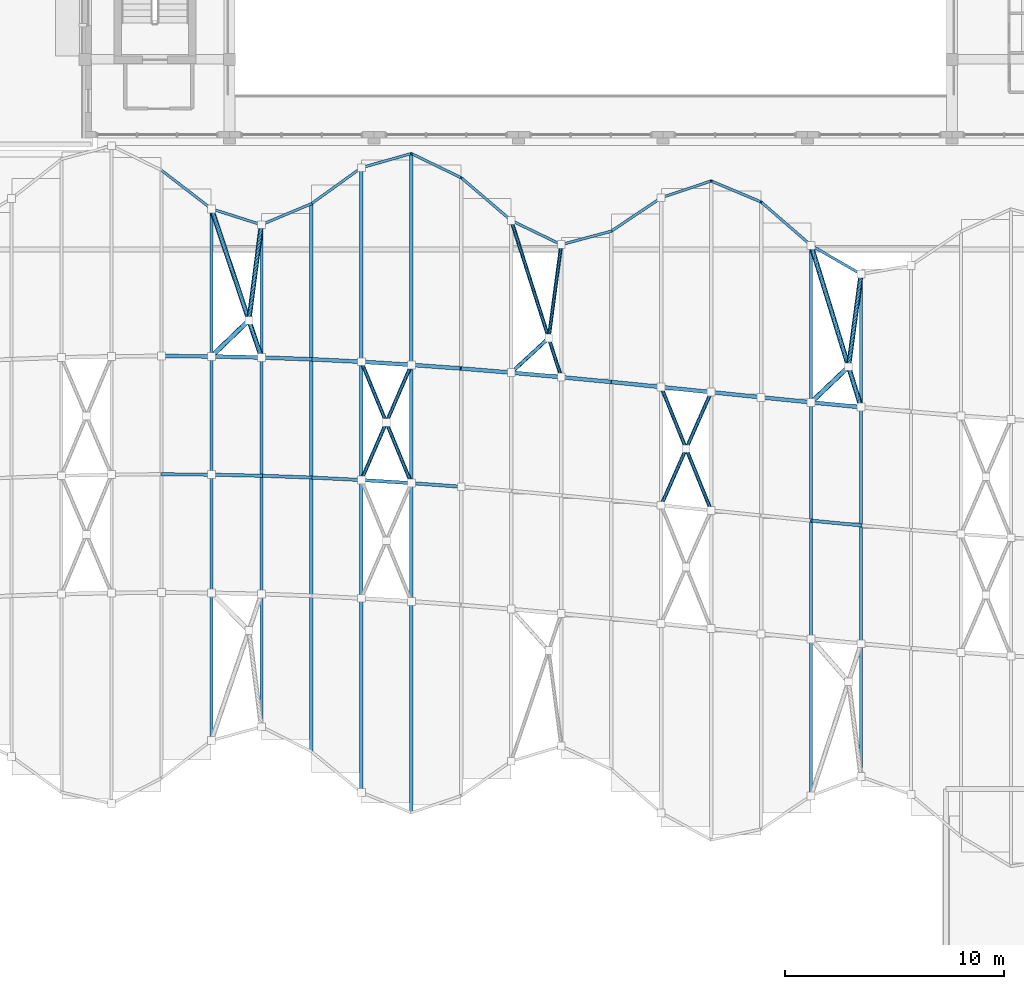
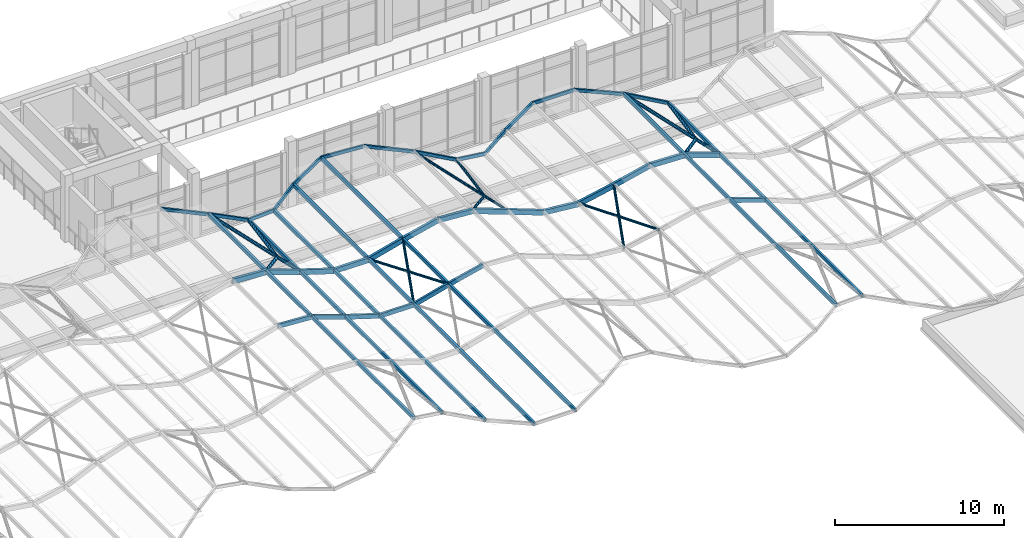
# One storey, part 15 of 79: 57 members.
"""IFC4 building model written with IfcOpenShell, lengths in metres."""

import ifcopenshell
import ifcopenshell.guid

model = None  # the IFC model being written
_history = None  # IfcOwnerHistory: only IFC2X3 demands one
_inside = {}  # id of a spatial element -> (the spatial element, [elements in it])
_under = {}  # id of a project, library or spatial element -> (it, [spatial elements below it])
_declared = {}  # id of a project -> (the project, [libraries it declares])
_typed = {}  # id of a type object -> (the type object, [elements of that type])
_made_of = {}  # id of a material, layer set ... -> (it, [elements and type objects made of it])


def new_model(schema):
    """Start an empty IFC model of exactly this schema.

    Asked for "IFC4X3", IfcOpenShell would pick the latest addendum, in which some entities
    have other attributes; the version numbers below select the first issue.
    IFC2X3 requires an IfcOwnerHistory on every rooted entity: one is made here for all.
    """
    global model, _history
    if schema == "IFC4X3":
        model = ifcopenshell.file(schema_version=(4, 3, 0, 0))
    else:
        model = ifcopenshell.file(schema=schema)
    _inside.clear()
    _under.clear()
    _declared.clear()
    _typed.clear()
    _made_of.clear()
    _history = None
    if model.schema == "IFC2X3":
        org = make("IfcOrganization", Name="unknown")
        user = make(
            "IfcPersonAndOrganization",
            ThePerson=make("IfcPerson", FamilyName="unknown"),
            TheOrganization=org,
        )
        app = make(
            "IfcApplication",
            ApplicationDeveloper=org,
            Version="unknown",
            ApplicationFullName="unknown",
            ApplicationIdentifier="unknown",
        )
        _history = make(
            "IfcOwnerHistory",
            OwningUser=user,
            OwningApplication=app,
            ChangeAction="ADDED",
            CreationDate=0,
        )
    return model


def make(cls, **values):
    """One entity of the class cls with the attributes given. An attribute that is None is left unset."""
    return model.create_entity(
        cls, **{name: value for name, value in values.items() if value is not None}
    )


def rooted(cls, **values):
    """An entity with a GlobalId (a new one), such as an element, a storey or a relation."""
    return make(cls, GlobalId=ifcopenshell.guid.new(), OwnerHistory=_history, **values)


def si_unit(unit_type, name, prefix=None):
    """IfcSIUnit, for example si_unit("LENGTHUNIT", "METRE", prefix="MILLI")."""
    return make("IfcSIUnit", UnitType=unit_type, Prefix=prefix, Name=name)


def assignment(units):
    """IfcUnitAssignment: the units of a project."""
    return None if units is None else make("IfcUnitAssignment", Units=units)


def point(xyz):
    """IfcCartesianPoint."""
    return None if xyz is None else make("IfcCartesianPoint", Coordinates=xyz)


def direction(xyz):
    """IfcDirection."""
    return None if xyz is None else make("IfcDirection", DirectionRatios=xyz)


def frame(location, z_axis=None, x_axis=None):
    """IfcAxis2Placement3D, a coordinate frame: its origin and axes. An axis left out is left unset."""
    return make(
        "IfcAxis2Placement3D",
        Location=point(location),
        Axis=direction(z_axis),
        RefDirection=direction(x_axis),
    )


def frame_2d(location, x_axis=None):
    """IfcAxis2Placement2D, a coordinate frame in the plane: its origin and x axis."""
    return make(
        "IfcAxis2Placement2D", Location=point(location), RefDirection=direction(x_axis)
    )


def origin():
    """The frame at (0, 0, 0) with its axes left unset."""
    return frame((0.0, 0.0, 0.0))


def origin_2d():
    """The frame at (0, 0) in the plane with its x axis left unset."""
    return frame_2d((0.0, 0.0))


def place(relative_to, where):
    """IfcLocalPlacement: puts the frame where relative to a parent placement (None: the world)."""
    return make(
        "IfcLocalPlacement", PlacementRelTo=relative_to, RelativePlacement=where
    )


def context(
    kind, dimensions, precision=None, world=None, true_north=None, identifier=None
):
    """IfcGeometricRepresentationContext, for example the 3D "Model" context."""
    return make(
        "IfcGeometricRepresentationContext",
        ContextIdentifier=identifier,
        ContextType=kind,
        CoordinateSpaceDimension=dimensions,
        Precision=precision,
        WorldCoordinateSystem=world,
        TrueNorth=true_north,
    )


def subcontext(parent, identifier, kind, view, scale=None):
    """IfcGeometricRepresentationSubContext, for example "Body" below "Model"."""
    return make(
        "IfcGeometricRepresentationSubContext",
        ContextIdentifier=identifier,
        ContextType=kind,
        ParentContext=parent,
        TargetScale=scale,
        TargetView=view,
    )


def project(units=None, contexts=None):
    """IfcProject with its units and contexts."""
    return rooted(
        "IfcProject",
        Name="project",
        RepresentationContexts=contexts,
        UnitsInContext=assignment(units),
    )


def spatial(cls, under=None, at=None, **own):
    """A site, building, storey or space (cls), placed at a placement, below another one or the project."""
    s = rooted(cls, ObjectPlacement=at, **own)
    if under is not None:
        _under.setdefault(under.id(), (under, []))[1].append(s)
    return s


def profile(cls, at=None, kind="AREA", **sizes):
    """A parametric profile (cls). Its sizes go by their IFC names, for example OverallWidth=200.0."""
    return make(cls, ProfileType=kind, Position=at, **sizes)


def hollow_rectangle(**sizes):
    """IfcRectangleHollowProfileDef."""
    return profile("IfcRectangleHollowProfileDef", **sizes)


def hollow_circle(**sizes):
    """IfcCircleHollowProfileDef."""
    return profile("IfcCircleHollowProfileDef", **sizes)


def extrude(swept, where, along, depth):
    """IfcExtrudedAreaSolid: the profile swept, set in the frame where, extruded along a direction by depth."""
    return make(
        "IfcExtrudedAreaSolid",
        SweptArea=swept,
        Position=where,
        ExtrudedDirection=direction(along),
        Depth=depth,
    )


def shape(context_of_items, identifier, shape_type, items):
    """IfcShapeRepresentation: the items that make up one representation, for example the "Body"."""
    return make(
        "IfcShapeRepresentation",
        ContextOfItems=context_of_items,
        RepresentationIdentifier=identifier,
        RepresentationType=shape_type,
        Items=items,
    )


def material(Name=None, Category=None):
    """IfcMaterial."""
    return make("IfcMaterial", Name=Name, Category=Category)


def material_profile(
    of_material, cross_section, Name=None, Category=None, Priority=None
):
    """IfcMaterialProfile: a cross section and its material."""
    return make(
        "IfcMaterialProfile",
        Name=Name,
        Material=of_material,
        Profile=cross_section,
        Priority=Priority,
        Category=Category,
    )


def profile_set(profiles, Name=None, composite=None):
    """IfcMaterialProfileSet."""
    return make(
        "IfcMaterialProfileSet",
        Name=Name,
        MaterialProfiles=profiles,
        CompositeProfile=composite,
    )


def made_of(thing, what):
    """Note that an element or type object is made of a material, layer set ...; save() writes the relation."""
    if what is not None:
        _made_of.setdefault(what.id(), (what, []))[1].append(thing)
    return thing


def type_object(cls, material=None, **own):
    """A type object (cls), such as IfcWallType, which elements share."""
    return made_of(rooted(cls, **own), material)


def element(
    cls,
    number,
    at=None,
    inside=None,
    cuts=None,
    type_object=None,
    material=None,
    context=None,
    identifier="Body",
    shape_type=None,
    held_by="IfcProductDefinitionShape",
    body=None,
    shapes=None,
    **own,
):
    """One element of the class cls, such as IfcWall. Its Tag is "e" and its number.

    at: its placement. inside: the storey or other place that contains it. cuts: it is an
    opening in that element (IfcRelVoidsElement). A single representation is given by context,
    identifier, shape_type and body (its items); several are given by shapes. held_by: the class
    of the entity that holds the representations. save() writes the other relations.
    """
    e = rooted(cls, Tag="e%d" % number, ObjectPlacement=at, **own)
    if body is not None:
        shapes = [shape(context, identifier, shape_type, body)]
    if shapes is not None:
        e.Representation = make(held_by, Representations=shapes)
    if inside is not None:
        _inside.setdefault(inside.id(), (inside, []))[1].append(e)
    if cuts is not None:
        rooted(
            "IfcRelVoidsElement", RelatingBuildingElement=cuts, RelatedOpeningElement=e
        )
    if type_object is not None:
        _typed.setdefault(type_object.id(), (type_object, []))[1].append(e)
    return made_of(e, material)


def aggregate(whole, parts):
    """IfcRelAggregates: a whole, such as a stair, and the parts it consists of."""
    return rooted("IfcRelAggregates", RelatingObject=whole, RelatedObjects=parts)


def save(model, path):
    """Write the relations noted so far, then the file.

    IfcRelAggregates (storeys below a building ...), IfcRelContainedInSpatialStructure (elements
    in a storey), IfcRelDefinesByType, IfcRelAssociatesMaterial and IfcRelDeclares: one each for
    every whole, place, type object, material and project.
    """
    for whole, parts in _under.values():
        aggregate(whole, parts)
    for where, things in _inside.values():
        rooted(
            "IfcRelContainedInSpatialStructure",
            RelatedElements=things,
            RelatingStructure=where,
        )
    for kind, things in _typed.values():
        rooted("IfcRelDefinesByType", RelatedObjects=things, RelatingType=kind)
    for what, things in _made_of.values():
        rooted("IfcRelAssociatesMaterial", RelatedObjects=things, RelatingMaterial=what)
    for by, libraries in _declared.values():
        rooted("IfcRelDeclares", RelatingContext=by, RelatedDefinitions=libraries)
    model.write(path)


model = new_model("IFC4")

# Units and contexts
model_context = context("Model", 3, precision=1e-05, world=origin(), true_north=direction((0.0, 1.0)))
body_context = subcontext(model_context, "Body", "Model", "MODEL_VIEW")
ifc_project = project(units=[si_unit("LENGTHUNIT", "METRE"), si_unit("AREAUNIT", "SQUARE_METRE"), si_unit("VOLUMEUNIT", "CUBIC_METRE"), si_unit("PLANEANGLEUNIT", "RADIAN"), si_unit("MASSUNIT", "GRAM", prefix="KILO")], contexts=[model_context])

# Site, building, storey
site_placement = place(None, origin())
site = spatial("IfcSite", under=ifc_project, at=site_placement, CompositionType="ELEMENT")
building_placement = place(site_placement, origin())
building = spatial("IfcBuilding", under=site, at=building_placement, Name="Kolvaren Faculty of Natural Sciences", CompositionType="ELEMENT")
storey_placement = place(building_placement, frame((0.0, 0.0, 10.199951171875)))
storey = spatial("IfcBuildingStorey", under=building, at=storey_placement, Name="L02", CompositionType="ELEMENT", Elevation=10.199951171875)

# Members
ifc_material = material(Name="Structural steel EN 10210-1 S355J2H (white architectural finish)", Category="steel")
ifc_material_profile_1 = material_profile(ifc_material, hollow_circle(Radius=0.084228515625, WallThickness=0.008056640625, at=origin_2d()), Name="CHS 168.3x8")
ifc_profile_set_1 = profile_set([ifc_material_profile_1], Name="Structural steel EN 10210-1 S355J2H (white architectural finish)")
member_type_1 = type_object("IfcMemberType", Name="CanopyGridCrossBrace_CHS168", PredefinedType="BRACE", material=ifc_profile_set_1)
member_1_placement = place(storey_placement, frame((72.227294921875, 61.988037109375, 2.521484375), z_axis=(0.377860410323, -0.917603239106, 0.123392892393), x_axis=(0.924669660654, 0.380770296461, 0.0)))
element("IfcMember", 1, at=member_1_placement, inside=storey, type_object=member_type_1, Name="Canopy X-brace continuous diagonal N2-16-A", PredefinedType="BRACE", context=body_context, shape_type="SweptSolid", body=[
    extrude(hollow_circle(Radius=0.084228515625, WallThickness=0.008056640625, at=origin_2d()), origin(), (0.0, 0.0, 1.0), 6.03857421875),
])
for number, where, z_axis, x_axis, name in (
    (2, (72.227294921875, 56.588134765625, 2.521484375), (0.394717201265, 0.909716297374, 0.128897592367), (-0.917369072641, 0.398037667266, 0.0), "Canopy X-brace split diagonal N2-16-B1"),
    (3, (73.3681640625, 59.217529296875, 2.89404296875), (0.394717201265, 0.909716297374, 0.128897592367), (-0.917369072641, 0.398037667266, 0.0), "Canopy X-brace split diagonal N2-16-B2"),
):
    element("IfcMember", number, at=place(storey_placement, frame(where, z_axis=z_axis, x_axis=x_axis)), inside=storey, type_object=member_type_1, Name=name, PredefinedType="BRACE", context=body_context, shape_type="SweptSolid", body=[
        extrude(hollow_circle(Radius=0.084228515625, WallThickness=0.008056640625, at=origin_2d()), origin(), (0.0, 0.0, 1.0), 2.890380859375),
    ])
member_2_placement = place(storey_placement, frame((79.07275390625, 68.43798828125, 3.9599609375), z_axis=(0.302540412934, -0.948376468836, -0.095138698225), x_axis=(0.952697881157, 0.303918981373, 0.0)))
element("IfcMember", 4, at=member_2_placement, inside=storey, type_object=member_type_1, Name="Canopy X-brace continuous diagonal N1-19-A", PredefinedType="BRACE", context=body_context, shape_type="SweptSolid", body=[
    extrude(hollow_circle(Radius=0.084228515625, WallThickness=0.008056640625, at=origin_2d()), origin(), (0.0, 0.0, 1.0), 7.5419921875),
])
member_3_placement = place(storey_placement, frame((79.07275390625, 61.4921875, 3.9599609375), z_axis=(0.715644333883, 0.661230863133, -0.225004295561), x_axis=(-0.678632513067, 0.734477986197, 0.0)))
element("IfcMember", 5, at=member_3_placement, inside=storey, type_object=member_type_1, Name="Canopy X-brace split diagonal N1-19-B1", PredefinedType="BRACE", context=body_context, shape_type="SweptSolid", body=[
    extrude(hollow_circle(Radius=0.084228515625, WallThickness=0.008056640625, at=origin_2d()), origin(), (0.0, 0.0, 1.0), 2.391357421875),
])
member_4_placement = place(storey_placement, frame((80.7841796875, 63.073486328125, 3.421875), z_axis=(0.132509521689, 0.990304464743, -0.04169285036), x_axis=(-0.991166308551, 0.132624842294, 0.0)))
element("IfcMember", 6, at=member_4_placement, inside=storey, type_object=member_type_1, Name="Canopy X-brace split diagonal N1-19-B2", PredefinedType="BRACE", context=body_context, shape_type="SweptSolid", body=[
    extrude(hollow_circle(Radius=0.084228515625, WallThickness=0.008056640625, at=origin_2d()), origin(), (0.0, 0.0, 1.0), 4.303955078125),
])
member_5_placement = place(storey_placement, frame((85.918212890625, 60.834716796875, 2.462158203125), z_axis=(0.372961714237, -0.921031068327, 0.112255649705), x_axis=(0.92688960448, 0.375334066008, 0.0)))
element("IfcMember", 7, at=member_5_placement, inside=storey, type_object=member_type_1, Name="Canopy X-brace continuous diagonal N2-22-A", PredefinedType="BRACE", context=body_context, shape_type="SweptSolid", body=[
    extrude(hollow_circle(Radius=0.084228515625, WallThickness=0.008056640625, at=origin_2d()), origin(), (0.0, 0.0, 1.0), 6.117919921875),
])
member_6_placement = place(storey_placement, frame((85.918212890625, 55.434814453125, 2.462158203125), z_axis=(0.401133374055, 0.908022433288, 0.12077779955), x_axis=(-0.914718569105, 0.404091498717, 0.0)))
element("IfcMember", 8, at=member_6_placement, inside=storey, type_object=member_type_1, Name="Canopy X-brace split diagonal N2-22-B1", PredefinedType="BRACE", context=body_context, shape_type="SweptSolid", body=[
    extrude(hollow_circle(Radius=0.084228515625, WallThickness=0.008056640625, at=origin_2d()), origin(), (0.0, 0.0, 1.0), 2.843994140625),
])
member_7_placement = place(storey_placement, frame((87.05908203125, 58.017333984375, 2.8056640625), z_axis=(0.401106266219, 0.9080469057, 0.120683802761), x_axis=(-0.914732687711, 0.404059537733, 0.0)))
element("IfcMember", 9, at=member_7_placement, inside=storey, type_object=member_type_1, Name="Canopy X-brace split diagonal N2-22-B2", PredefinedType="BRACE", context=body_context, shape_type="SweptSolid", body=[
    extrude(hollow_circle(Radius=0.084228515625, WallThickness=0.008056640625, at=origin_2d()), origin(), (0.0, 0.0, 1.0), 2.84423828125),
])
ifc_material_profile_2 = material_profile(ifc_material, hollow_rectangle(XDim=0.14990234375, YDim=0.300048828125, WallThickness=0.010009765625, at=origin_2d()), Name="RHS 300x150x10")
ifc_profile_set_2 = profile_set([ifc_material_profile_2], Name="Structural steel EN 10210-1 S355J2H (white architectural finish)")
member_type_2 = type_object("IfcMemberType", Name="CanopyRidgeChord_RHS300", PredefinedType="PURLIN", material=ifc_profile_set_2)
member_8_placement = place(storey_placement, frame((63.10009765625, 56.85009765625, 3.995849609375), z_axis=(0.99842862178, -0.007371236347, -0.055551346386), x_axis=(0.00738263638, 0.999972747969, 0.0)))
element("IfcMember", 10, at=member_8_placement, inside=storey, type_object=member_type_2, Name="Covered street wave canopy ridge chord 12", PredefinedType="PURLIN", context=body_context, shape_type="SweptSolid", body=[
    extrude(hollow_rectangle(XDim=0.14990234375, YDim=0.300048828125, WallThickness=0.010009765625, at=origin_2d()), origin(), (0.0, 0.0, 1.0), 2.285400390625),
])
member_9_placement = place(storey_placement, frame((65.3818359375, 56.833251953125, 3.868896484375), z_axis=(0.94741889015, -0.02078117617, -0.319320511874), x_axis=(0.021929242743, 0.999759525242, 0.0)))
element("IfcMember", 11, at=member_9_placement, inside=storey, type_object=member_type_2, Name="Covered street wave canopy ridge chord 13", PredefinedType="PURLIN", context=body_context, shape_type="SweptSolid", body=[
    extrude(hollow_rectangle(XDim=0.14990234375, YDim=0.300048828125, WallThickness=0.010009765625, at=origin_2d()), origin(), (0.0, 0.0, 1.0), 2.408447265625),
])
member_10_placement = place(storey_placement, frame((67.66357421875, 56.783203125, 3.099853515625), z_axis=(0.958573261688, -0.034560734908, -0.282741679948), x_axis=(0.036030937997, 0.999350674942, 0.0)))
element("IfcMember", 12, at=member_10_placement, inside=storey, type_object=member_type_2, Name="Covered street wave canopy ridge chord 14", PredefinedType="PURLIN", context=body_context, shape_type="SweptSolid", body=[
    extrude(hollow_rectangle(XDim=0.14990234375, YDim=0.300048828125, WallThickness=0.010009765625, at=origin_2d()), origin(), (0.0, 0.0, 1.0), 2.380615234375),
])
member_11_placement = place(storey_placement, frame((69.945556640625, 56.700927734375, 2.4267578125), z_axis=(0.998317497296, -0.049349741467, 0.030443022334), x_axis=(0.049372625492, 0.998780428248, 0.0)))
element("IfcMember", 13, at=member_11_placement, inside=storey, type_object=member_type_2, Name="Covered street wave canopy ridge chord 15", PredefinedType="PURLIN", context=body_context, shape_type="SweptSolid", body=[
    extrude(hollow_rectangle(XDim=0.14990234375, YDim=0.300048828125, WallThickness=0.010009765625, at=origin_2d()), origin(), (0.0, 0.0, 1.0), 2.28564453125),
])
member_12_placement = place(storey_placement, frame((72.227294921875, 56.588134765625, 2.496337890625), z_axis=(0.948929764382, -0.058686219111, 0.309981015478), x_axis=(0.061726707173, 0.998093088655, 0.0)))
element("IfcMember", 14, at=member_12_placement, inside=storey, type_object=member_type_2, Name="Covered street wave canopy ridge chord 16", PredefinedType="PURLIN", context=body_context, shape_type="SweptSolid", body=[
    extrude(hollow_rectangle(XDim=0.14990234375, YDim=0.300048828125, WallThickness=0.010009765625, at=origin_2d()), origin(), (0.0, 0.0, 1.0), 2.404541015625),
])
member_13_placement = place(storey_placement, frame((74.509033203125, 56.447021484375, 3.24169921875), z_axis=(0.953091730563, -0.069541945035, 0.294584573617), x_axis=(0.072771134094, 0.997348666236, 0.0)))
element("IfcMember", 15, at=member_13_placement, inside=storey, type_object=member_type_2, Name="Covered street wave canopy ridge chord 17", PredefinedType="PURLIN", context=body_context, shape_type="SweptSolid", body=[
    extrude(hollow_rectangle(XDim=0.14990234375, YDim=0.300048828125, WallThickness=0.010009765625, at=origin_2d()), origin(), (0.0, 0.0, 1.0), 2.394287109375),
])
member_14_placement = place(storey_placement, frame((92.763671875, 54.735107421875, 3.987060546875), z_axis=(0.957355317425, -0.092498593156, -0.273705693148), x_axis=(0.096171028914, 0.995364824171, 0.0)))
element("IfcMember", 16, at=member_14_placement, inside=storey, type_object=member_type_2, Name="Covered street wave canopy ridge chord 25", PredefinedType="PURLIN", context=body_context, shape_type="SweptSolid", body=[
    extrude(hollow_rectangle(XDim=0.14990234375, YDim=0.300048828125, WallThickness=0.010009765625, at=origin_2d()), origin(), (0.0, 0.0, 1.0), 2.38330078125),
])
ifc_material_profile_3 = material_profile(ifc_material, hollow_rectangle(XDim=0.175048828125, YDim=0.35009765625, WallThickness=0.012451171875, at=origin_2d()), Name="RHS 350x175x12.5")
ifc_profile_set_3 = profile_set([ifc_material_profile_3], Name="Structural steel EN 10210-1 S355J2H (white architectural finish)")
member_type_3 = type_object("IfcMemberType", Name="CanopySpineChord_RHS350", PredefinedType="PURLIN", material=ifc_profile_set_3)
member_15_placement = place(storey_placement, frame((63.10009765625, 62.25, 3.970947265625), z_axis=(0.99842862178, -0.007371236347, -0.055551346386), x_axis=(0.00738263638, 0.999972747969, 0.0)))
element("IfcMember", 17, at=member_15_placement, inside=storey, type_object=member_type_3, Name="Covered street wave canopy n-spine chord 12", PredefinedType="PURLIN", context=body_context, shape_type="SweptSolid", body=[
    extrude(hollow_rectangle(XDim=0.175048828125, YDim=0.35009765625, WallThickness=0.012451171875, at=origin_2d()), origin(), (0.0, 0.0, 1.0), 2.285400390625),
])
member_16_placement = place(storey_placement, frame((65.3818359375, 62.233154296875, 3.843994140625), z_axis=(0.947388218795, -0.020780503408, -0.31941154263), x_axis=(0.021929242743, 0.999759525242, 0.0)))
element("IfcMember", 18, at=member_16_placement, inside=storey, type_object=member_type_3, Name="Covered street wave canopy n-spine chord 13", PredefinedType="PURLIN", context=body_context, shape_type="SweptSolid", body=[
    extrude(hollow_rectangle(XDim=0.175048828125, YDim=0.35009765625, WallThickness=0.012451171875, at=origin_2d()), origin(), (0.0, 0.0, 1.0), 2.408447265625),
])
member_17_placement = place(storey_placement, frame((67.66357421875, 62.18310546875, 3.07470703125), z_axis=(0.958601052954, -0.034561736904, -0.282647320203), x_axis=(0.036030937997, 0.999350674942, 0.0)))
element("IfcMember", 19, at=member_17_placement, inside=storey, type_object=member_type_3, Name="Covered street wave canopy n-spine chord 14", PredefinedType="PURLIN", context=body_context, shape_type="SweptSolid", body=[
    extrude(hollow_rectangle(XDim=0.175048828125, YDim=0.35009765625, WallThickness=0.012451171875, at=origin_2d()), origin(), (0.0, 0.0, 1.0), 2.380615234375),
])
member_18_placement = place(storey_placement, frame((69.945556640625, 62.100830078125, 2.40185546875), z_axis=(0.998317497296, -0.049349741467, 0.030443022334), x_axis=(0.049372625492, 0.998780428248, 0.0)))
element("IfcMember", 20, at=member_18_placement, inside=storey, type_object=member_type_3, Name="Covered street wave canopy n-spine chord 15", PredefinedType="PURLIN", context=body_context, shape_type="SweptSolid", body=[
    extrude(hollow_rectangle(XDim=0.175048828125, YDim=0.35009765625, WallThickness=0.012451171875, at=origin_2d()), origin(), (0.0, 0.0, 1.0), 2.28564453125),
])
member_19_placement = place(storey_placement, frame((72.227294921875, 61.988037109375, 2.471435546875), z_axis=(0.948959626927, -0.05868806595, 0.309889234045), x_axis=(0.061726707173, 0.998093088655, 0.0)))
element("IfcMember", 21, at=member_19_placement, inside=storey, type_object=member_type_3, Name="Covered street wave canopy n-spine chord 16", PredefinedType="PURLIN", context=body_context, shape_type="SweptSolid", body=[
    extrude(hollow_rectangle(XDim=0.175048828125, YDim=0.35009765625, WallThickness=0.012451171875, at=origin_2d()), origin(), (0.0, 0.0, 1.0), 2.404541015625),
])
member_20_placement = place(storey_placement, frame((74.509033203125, 61.846923828125, 3.216552734375), z_axis=(0.953091730563, -0.069541945035, 0.294584573617), x_axis=(0.072771134094, 0.997348666236, 0.0)))
element("IfcMember", 22, at=member_20_placement, inside=storey, type_object=member_type_3, Name="Covered street wave canopy n-spine chord 17", PredefinedType="PURLIN", context=body_context, shape_type="SweptSolid", body=[
    extrude(hollow_rectangle(XDim=0.175048828125, YDim=0.35009765625, WallThickness=0.012451171875, at=origin_2d()), origin(), (0.0, 0.0, 1.0), 2.394287109375),
])
member_21_placement = place(storey_placement, frame((76.791015625, 61.680419921875, 3.921875), z_axis=(0.996601487223, -0.082214824165, -0.005118432633), x_axis=(0.082215901133, 0.996614542138, 0.0)))
element("IfcMember", 23, at=member_21_placement, inside=storey, type_object=member_type_3, Name="Covered street wave canopy n-spine chord 18", PredefinedType="PURLIN", context=body_context, shape_type="SweptSolid", body=[
    extrude(hollow_rectangle(XDim=0.175048828125, YDim=0.35009765625, WallThickness=0.012451171875, at=origin_2d()), origin(), (0.0, 0.0, 1.0), 2.28955078125),
])
member_22_placement = place(storey_placement, frame((79.07275390625, 61.4921875, 3.91015625), z_axis=(0.950370501661, -0.086129233352, -0.298960975271), x_axis=(0.090257111858, 0.995918497548, 0.0)))
element("IfcMember", 24, at=member_22_placement, inside=storey, type_object=member_type_3, Name="Covered street wave canopy n-spine chord 19", PredefinedType="PURLIN", context=body_context, shape_type="SweptSolid", body=[
    extrude(hollow_rectangle(XDim=0.175048828125, YDim=0.35009765625, WallThickness=0.012451171875, at=origin_2d()), origin(), (0.0, 0.0, 1.0), 2.40087890625),
])
member_23_placement = place(storey_placement, frame((81.3544921875, 61.285400390625, 3.1923828125), z_axis=(0.947950799727, -0.091580140382, -0.30496288165), x_axis=(0.096160835087, 0.995365809035, 0.0)))
element("IfcMember", 25, at=member_23_placement, inside=storey, type_object=member_type_3, Name="Covered street wave canopy n-spine chord 20", PredefinedType="PURLIN", context=body_context, shape_type="SweptSolid", body=[
    extrude(hollow_rectangle(XDim=0.175048828125, YDim=0.35009765625, WallThickness=0.012451171875, at=origin_2d()), origin(), (0.0, 0.0, 1.0), 2.4072265625),
])
member_24_placement = place(storey_placement, frame((83.636474609375, 61.06494140625, 2.458251953125), z_axis=(0.994749050431, -0.10036896582, -0.02000993168), x_axis=(0.100389065591, 0.994948257705, 0.0)))
element("IfcMember", 26, at=member_24_placement, inside=storey, type_object=member_type_3, Name="Covered street wave canopy n-spine chord 21", PredefinedType="PURLIN", context=body_context, shape_type="SweptSolid", body=[
    extrude(hollow_rectangle(XDim=0.175048828125, YDim=0.35009765625, WallThickness=0.012451171875, at=origin_2d()), origin(), (0.0, 0.0, 1.0), 2.293701171875),
])
member_25_placement = place(storey_placement, frame((85.918212890625, 60.834716796875, 2.412353515625), z_axis=(0.952986161139, -0.097990552199, 0.286731980005), x_axis=(0.102285431434, 0.994755090721, 0.0)))
element("IfcMember", 27, at=member_25_placement, inside=storey, type_object=member_type_3, Name="Covered street wave canopy n-spine chord 22", PredefinedType="PURLIN", context=body_context, shape_type="SweptSolid", body=[
    extrude(hollow_rectangle(XDim=0.175048828125, YDim=0.35009765625, WallThickness=0.012451171875, at=origin_2d()), origin(), (0.0, 0.0, 1.0), 2.394287109375),
])
member_26_placement = place(storey_placement, frame((88.199951171875, 60.60009765625, 3.098876953125), z_axis=(0.944292364568, -0.097197651906, 0.314427331322), x_axis=(0.102390752596, 0.994744255466, 0.0)))
element("IfcMember", 28, at=member_26_placement, inside=storey, type_object=member_type_3, Name="Covered street wave canopy n-spine chord 23", PredefinedType="PURLIN", context=body_context, shape_type="SweptSolid", body=[
    extrude(hollow_rectangle(XDim=0.175048828125, YDim=0.35009765625, WallThickness=0.012451171875, at=origin_2d()), origin(), (0.0, 0.0, 1.0), 2.416259765625),
])
member_27_placement = place(storey_placement, frame((90.481689453125, 60.365234375, 3.858642578125), z_axis=(0.993937524401, -0.1002763545, 0.045087141366), x_axis=(0.100378433569, 0.994949330405, 0.0)))
element("IfcMember", 29, at=member_27_placement, inside=storey, type_object=member_type_3, Name="Covered street wave canopy n-spine chord 24", PredefinedType="PURLIN", context=body_context, shape_type="SweptSolid", body=[
    extrude(hollow_rectangle(XDim=0.175048828125, YDim=0.35009765625, WallThickness=0.012451171875, at=origin_2d()), origin(), (0.0, 0.0, 1.0), 2.2958984375),
])
member_28_placement = place(storey_placement, frame((92.763671875, 60.135009765625, 3.962158203125), z_axis=(0.957355317425, -0.092498593156, -0.273705693148), x_axis=(0.096171028914, 0.995364824171, 0.0)))
element("IfcMember", 30, at=member_28_placement, inside=storey, type_object=member_type_3, Name="Covered street wave canopy n-spine chord 25", PredefinedType="PURLIN", context=body_context, shape_type="SweptSolid", body=[
    extrude(hollow_rectangle(XDim=0.175048828125, YDim=0.35009765625, WallThickness=0.012451171875, at=origin_2d()), origin(), (0.0, 0.0, 1.0), 2.38330078125),
])
ifc_material_profile_4 = material_profile(ifc_material, hollow_rectangle(XDim=0.14990234375, YDim=0.25, WallThickness=0.010009765625, at=origin_2d()), Name="RHS 250x150x10")
ifc_profile_set_4 = profile_set([ifc_material_profile_4], Name="Structural steel EN 10210-1 S355J2H (white architectural finish)")
member_type_4 = type_object("IfcMemberType", Name="CanopyTransverseRafter_RHS250", PredefinedType="RAFTER", material=ifc_profile_set_4)
member_29_placement = place(storey_placement, frame((65.3818359375, 44.69384765625, 3.89404296875), z_axis=(0.0, 1.0, 0.0), x_axis=(-1.0, 0.0, 0.0)))
element("IfcMember", 31, at=member_29_placement, inside=storey, type_object=member_type_4, Name="Covered street canopy transverse rafter 13", PredefinedType="RAFTER", context=body_context, shape_type="SweptSolid", body=[
    extrude(hollow_rectangle(XDim=0.14990234375, YDim=0.25, WallThickness=0.010009765625, at=origin_2d()), origin(), (0.0, 0.0, 1.0), 24.278564453125),
])
member_30_placement = place(storey_placement, frame((67.66357421875, 45.320556640625, 3.124755859375), z_axis=(0.0, 1.0, 0.0), x_axis=(-1.0, 0.0, 0.0)))
element("IfcMember", 32, at=member_30_placement, inside=storey, type_object=member_type_4, Name="Covered street canopy transverse rafter 14", PredefinedType="RAFTER", context=body_context, shape_type="SweptSolid", body=[
    extrude(hollow_rectangle(XDim=0.14990234375, YDim=0.25, WallThickness=0.010009765625, at=origin_2d()), origin(), (0.0, 0.0, 1.0), 22.92529296875),
])
member_31_placement = place(storey_placement, frame((69.945556640625, 44.198486328125, 2.451904296875), z_axis=(0.0, 1.0, 0.0), x_axis=(-1.0, 0.0, 0.0)))
element("IfcMember", 33, at=member_31_placement, inside=storey, type_object=member_type_4, Name="Covered street canopy transverse rafter 15", PredefinedType="RAFTER", context=body_context, shape_type="SweptSolid", body=[
    extrude(hollow_rectangle(XDim=0.14990234375, YDim=0.25, WallThickness=0.010009765625, at=origin_2d()), origin(), (0.0, 0.0, 1.0), 25.004638671875),
])
member_32_placement = place(storey_placement, frame((72.227294921875, 42.328125, 2.521484375), z_axis=(0.0, 1.0, 0.0), x_axis=(-1.0, 0.0, 0.0)))
element("IfcMember", 34, at=member_32_placement, inside=storey, type_object=member_type_4, Name="Covered street canopy transverse rafter 16", PredefinedType="RAFTER", context=body_context, shape_type="SweptSolid", body=[
    extrude(hollow_rectangle(XDim=0.14990234375, YDim=0.25, WallThickness=0.010009765625, at=origin_2d()), origin(), (0.0, 0.0, 1.0), 28.519775390625),
])
member_33_placement = place(storey_placement, frame((74.509033203125, 41.399169921875, 3.2666015625), z_axis=(0.0, 1.0, 0.0), x_axis=(-1.0, 0.0, 0.0)))
element("IfcMember", 35, at=member_33_placement, inside=storey, type_object=member_type_4, Name="Covered street canopy transverse rafter 17", PredefinedType="RAFTER", context=body_context, shape_type="SweptSolid", body=[
    extrude(hollow_rectangle(XDim=0.14990234375, YDim=0.25, WallThickness=0.010009765625, at=origin_2d()), origin(), (0.0, 0.0, 1.0), 30.095703125),
])
member_34_placement = place(storey_placement, frame((92.763671875, 42.165283203125, 4.011962890625), z_axis=(0.0, 1.0, 0.0), x_axis=(-1.0, 0.0, 0.0)))
element("IfcMember", 36, at=member_34_placement, inside=storey, type_object=member_type_4, Name="Covered street canopy transverse rafter 25", PredefinedType="RAFTER", context=body_context, shape_type="SweptSolid", body=[
    extrude(hollow_rectangle(XDim=0.14990234375, YDim=0.25, WallThickness=0.010009765625, at=origin_2d()), origin(), (0.0, 0.0, 1.0), 25.139404296875),
])
member_35_placement = place(storey_placement, frame((95.04541015625, 43.0419921875, 3.35986328125), z_axis=(0.0, 1.0, 0.0), x_axis=(-1.0, 0.0, 0.0)))
element("IfcMember", 37, at=member_35_placement, inside=storey, type_object=member_type_4, Name="Covered street canopy transverse rafter 26", PredefinedType="RAFTER", context=body_context, shape_type="SweptSolid", body=[
    extrude(hollow_rectangle(XDim=0.14990234375, YDim=0.25, WallThickness=0.010009765625, at=origin_2d()), origin(), (0.0, 0.0, 1.0), 22.9453125),
])
ifc_material_profile_5 = material_profile(ifc_material, hollow_rectangle(XDim=0.1201171875, YDim=0.219970703125, WallThickness=0.008056640625, at=origin_2d()), Name="RHS 220x120x8")
ifc_profile_set_5 = profile_set([ifc_material_profile_5], Name="Structural steel EN 10210-1 S355J2H (white architectural finish)")
member_type_5 = type_object("IfcMemberType", Name="CanopyWaveEdgeChord_RHS220", PredefinedType="RAFTER", material=ifc_profile_set_5)
member_36_placement = place(storey_placement, frame((63.10009765625, 70.732421875, 4.035888671875), z_axis=(0.791046566955, -0.610170629272, -0.044012862702), x_axis=(0.610762479832, 0.791813862742, 0.0)))
element("IfcMember", 38, at=member_36_placement, inside=storey, type_object=member_type_5, Name="Covered street wave canopy n-wave chord 12", PredefinedType="RAFTER", context=body_context, shape_type="SweptSolid", body=[
    extrude(hollow_rectangle(XDim=0.1201171875, YDim=0.219970703125, WallThickness=0.008056640625, at=origin_2d()), origin(), (0.0, 0.0, 1.0), 2.884521484375),
])
member_37_placement = place(storey_placement, frame((65.3818359375, 68.972412109375, 3.908935546875), z_axis=(0.907194411539, -0.288873375641, -0.305860217286), x_axis=(0.303414060794, 0.952858807858, 0.0)))
element("IfcMember", 39, at=member_37_placement, inside=storey, type_object=member_type_5, Name="Covered street wave canopy n-wave chord 13", PredefinedType="RAFTER", context=body_context, shape_type="SweptSolid", body=[
    extrude(hollow_rectangle(XDim=0.1201171875, YDim=0.219970703125, WallThickness=0.008056640625, at=origin_2d()), origin(), (0.0, 0.0, 1.0), 2.51513671875),
])
member_38_placement = place(storey_placement, frame((67.66357421875, 68.245849609375, 3.1396484375), z_axis=(0.889842734677, 0.373282696338, -0.262373657513), x_axis=(-0.386834934599, 0.922148975694, 0.0)))
element("IfcMember", 40, at=member_38_placement, inside=storey, type_object=member_type_5, Name="Covered street wave canopy n-wave chord 14", PredefinedType="RAFTER", context=body_context, shape_type="SweptSolid", body=[
    extrude(hollow_rectangle(XDim=0.1201171875, YDim=0.219970703125, WallThickness=0.008056640625, at=origin_2d()), origin(), (0.0, 0.0, 1.0), 2.564453125),
])
member_39_placement = place(storey_placement, frame((69.945556640625, 69.203125, 2.466796875), z_axis=(0.810961802136, 0.584576253049, 0.024729736102), x_axis=(-0.584755086761, 0.811209891771, 0.0)))
element("IfcMember", 41, at=member_39_placement, inside=storey, type_object=member_type_5, Name="Covered street wave canopy n-wave chord 15", PredefinedType="RAFTER", context=body_context, shape_type="SweptSolid", body=[
    extrude(hollow_rectangle(XDim=0.1201171875, YDim=0.219970703125, WallThickness=0.008056640625, at=origin_2d()), origin(), (0.0, 0.0, 1.0), 2.813720703125),
])
member_40_placement = place(storey_placement, frame((72.227294921875, 70.847900390625, 2.536376953125), z_axis=(0.917815088225, 0.26024074297, 0.299816976712), x_axis=(-0.272789970846, 0.962073610388, 0.0)))
element("IfcMember", 42, at=member_40_placement, inside=storey, type_object=member_type_5, Name="Covered street wave canopy n-wave chord 16", PredefinedType="RAFTER", context=body_context, shape_type="SweptSolid", body=[
    extrude(hollow_rectangle(XDim=0.1201171875, YDim=0.219970703125, WallThickness=0.008056640625, at=origin_2d()), origin(), (0.0, 0.0, 1.0), 2.486083984375),
])
member_41_placement = place(storey_placement, frame((74.509033203125, 71.494873046875, 3.28173828125), z_axis=(0.867109663454, -0.419871438621, 0.268008967339), x_axis=(0.435815116925, 0.900036212527, 0.0)))
element("IfcMember", 43, at=member_41_placement, inside=storey, type_object=member_type_5, Name="Covered street wave canopy n-wave chord 17", PredefinedType="RAFTER", context=body_context, shape_type="SweptSolid", body=[
    extrude(hollow_rectangle(XDim=0.1201171875, YDim=0.219970703125, WallThickness=0.008056640625, at=origin_2d()), origin(), (0.0, 0.0, 1.0), 2.631591796875),
])
member_42_placement = place(storey_placement, frame((76.791015625, 70.389892578125, 3.987060546875), z_axis=(0.759887270595, -0.650042663001, -0.003984001312), x_axis=(0.650047821888, 0.759893301233, 0.0)))
element("IfcMember", 44, at=member_42_placement, inside=storey, type_object=member_type_5, Name="Covered street wave canopy n-wave chord 18", PredefinedType="RAFTER", context=body_context, shape_type="SweptSolid", body=[
    extrude(hollow_rectangle(XDim=0.1201171875, YDim=0.219970703125, WallThickness=0.008056640625, at=origin_2d()), origin(), (0.0, 0.0, 1.0), 3.002685546875),
])
member_43_placement = place(storey_placement, frame((79.07275390625, 68.43798828125, 3.97509765625), z_axis=(0.866371234391, -0.418539067331, -0.272444367417), x_axis=(0.434994230472, 0.900433239866, 0.0)))
element("IfcMember", 45, at=member_43_placement, inside=storey, type_object=member_type_5, Name="Covered street wave canopy n-wave chord 19", PredefinedType="RAFTER", context=body_context, shape_type="SweptSolid", body=[
    extrude(hollow_rectangle(XDim=0.1201171875, YDim=0.219970703125, WallThickness=0.008056640625, at=origin_2d()), origin(), (0.0, 0.0, 1.0), 2.6337890625),
])
member_44_placement = place(storey_placement, frame((81.3544921875, 67.335693359375, 3.257568359375), z_axis=(0.922311084594, 0.247475789041, -0.296813067558), x_axis=(-0.259154427444, 0.965835898451, 0.0)))
element("IfcMember", 46, at=member_44_placement, inside=storey, type_object=member_type_5, Name="Covered street wave canopy n-wave chord 20", PredefinedType="RAFTER", context=body_context, shape_type="SweptSolid", body=[
    extrude(hollow_rectangle(XDim=0.1201171875, YDim=0.219970703125, WallThickness=0.008056640625, at=origin_2d()), origin(), (0.0, 0.0, 1.0), 2.47412109375),
])
member_45_placement = place(storey_placement, frame((83.636474609375, 67.947998046875, 2.523193359375), z_axis=(0.830276794854, 0.557100982295, -0.016701480573), x_axis=(-0.557178697275, 0.830392617563, 0.0)))
element("IfcMember", 47, at=member_45_placement, inside=storey, type_object=member_type_5, Name="Covered street wave canopy n-wave chord 21", PredefinedType="RAFTER", context=body_context, shape_type="SweptSolid", body=[
    extrude(hollow_rectangle(XDim=0.1201171875, YDim=0.219970703125, WallThickness=0.008056640625, at=origin_2d()), origin(), (0.0, 0.0, 1.0), 2.748046875),
])
member_46_placement = place(storey_placement, frame((85.918212890625, 69.47900390625, 2.477294921875), z_axis=(0.911877783449, 0.305292701093, 0.274363399001), x_axis=(-0.317475478458, 0.948266481838, 0.0)))
element("IfcMember", 48, at=member_46_placement, inside=storey, type_object=member_type_5, Name="Covered street wave canopy n-wave chord 22", PredefinedType="RAFTER", context=body_context, shape_type="SweptSolid", body=[
    extrude(hollow_rectangle(XDim=0.1201171875, YDim=0.219970703125, WallThickness=0.008056640625, at=origin_2d()), origin(), (0.0, 0.0, 1.0), 2.502197265625),
])
member_47_placement = place(storey_placement, frame((88.199951171875, 70.242919921875, 3.163818359375), z_axis=(0.881454213362, -0.369991962232, 0.293503692701), x_axis=(0.387037909188, 0.922063803026, 0.0)))
element("IfcMember", 49, at=member_47_placement, inside=storey, type_object=member_type_5, Name="Covered street wave canopy n-wave chord 23", PredefinedType="RAFTER", context=body_context, shape_type="SweptSolid", body=[
    extrude(hollow_rectangle(XDim=0.1201171875, YDim=0.219970703125, WallThickness=0.008056640625, at=origin_2d()), origin(), (0.0, 0.0, 1.0), 2.588623046875),
])
member_48_placement = place(storey_placement, frame((90.481689453125, 69.28515625, 3.923583984375), z_axis=(0.754795531218, -0.655065940863, 0.03423914681), x_axis=(0.655450251979, 0.755238351238, 0.0)))
element("IfcMember", 50, at=member_48_placement, inside=storey, type_object=member_type_5, Name="Covered street wave canopy n-wave chord 24", PredefinedType="RAFTER", context=body_context, shape_type="SweptSolid", body=[
    extrude(hollow_rectangle(XDim=0.1201171875, YDim=0.219970703125, WallThickness=0.008056640625, at=origin_2d()), origin(), (0.0, 0.0, 1.0), 3.023193359375),
])
member_49_placement = place(storey_placement, frame((92.763671875, 67.3046875, 4.027099609375), z_axis=(0.840638565906, -0.485350492363, -0.240336641141), x_axis=(0.500005864412, 0.866022017938, 0.0)))
element("IfcMember", 51, at=member_49_placement, inside=storey, type_object=member_type_5, Name="Covered street wave canopy n-wave chord 25", PredefinedType="RAFTER", context=body_context, shape_type="SweptSolid", body=[
    extrude(hollow_rectangle(XDim=0.1201171875, YDim=0.219970703125, WallThickness=0.008056640625, at=origin_2d()), origin(), (0.0, 0.0, 1.0), 2.71435546875),
])
ifc_material_profile_6 = material_profile(ifc_material, hollow_circle(Radius=0.109619140625, WallThickness=0.010009765625, at=origin_2d()), Name="CHS 219.1x10")
ifc_profile_set_6 = profile_set([ifc_material_profile_6], Name="Structural steel EN 10210-1 S355J2H (white architectural finish)")
member_type_6 = type_object("IfcMemberType", Name="CanopyWindBrace_CHS219", PredefinedType="BRACE", material=ifc_profile_set_6)
member_50_placement = place(storey_placement, frame((65.3818359375, 68.972412109375, 3.89404296875), z_axis=(0.316746777833, -0.942479257947, -0.106791043971), x_axis=(0.94789983666, 0.318568516431, 0.0)))
element("IfcMember", 52, at=member_50_placement, inside=storey, type_object=member_type_6, Name="Canopy X-brace continuous diagonal N1-13-A", PredefinedType="BRACE", context=body_context, shape_type="SweptSolid", body=[
    extrude(hollow_circle(Radius=0.109619140625, WallThickness=0.010009765625, at=origin_2d()), origin(), (0.0, 0.0, 1.0), 7.20361328125),
])
member_51_placement = place(storey_placement, frame((65.3818359375, 62.233154296875, 3.89404296875), z_axis=(0.700092662296, 0.673926574204, -0.23599414565), x_axis=(-0.693515276009, 0.720441921283, 0.0)))
element("IfcMember", 53, at=member_51_placement, inside=storey, type_object=member_type_6, Name="Canopy X-brace split diagonal N1-13-B1", PredefinedType="BRACE", context=body_context, shape_type="SweptSolid", body=[
    extrude(hollow_circle(Radius=0.109619140625, WallThickness=0.010009765625, at=origin_2d()), origin(), (0.0, 0.0, 1.0), 2.444580078125),
])
member_52_placement = place(storey_placement, frame((67.09326171875, 63.880615234375, 3.317138671875), z_axis=(0.129424293046, 0.990627722456, -0.043658537209), x_axis=(-0.991573176082, 0.129547815399, 0.0)))
element("IfcMember", 54, at=member_52_placement, inside=storey, type_object=member_type_6, Name="Canopy X-brace split diagonal N1-13-B2", PredefinedType="BRACE", context=body_context, shape_type="SweptSolid", body=[
    extrude(hollow_circle(Radius=0.109619140625, WallThickness=0.010009765625, at=origin_2d()), origin(), (0.0, 0.0, 1.0), 4.406494140625),
])
member_53_placement = place(storey_placement, frame((92.763671875, 67.3046875, 4.011962890625), z_axis=(0.293969895646, -0.952115208775, -0.084013865961), x_axis=(0.955493273467, 0.295012888464, 0.0)))
element("IfcMember", 55, at=member_53_placement, inside=storey, type_object=member_type_6, Name="Canopy X-brace continuous diagonal N1-25-A", PredefinedType="BRACE", context=body_context, shape_type="SweptSolid", body=[
    extrude(hollow_circle(Radius=0.109619140625, WallThickness=0.010009765625, at=origin_2d()), origin(), (0.0, 0.0, 1.0), 7.76171875),
])
member_54_placement = place(storey_placement, frame((92.763671875, 60.135009765625, 4.011962890625), z_axis=(0.709659825542, 0.674733628707, -0.202774412348), x_axis=(-0.689048276968, 0.724715442092, 0.0)))
element("IfcMember", 56, at=member_54_placement, inside=storey, type_object=member_type_6, Name="Canopy X-brace split diagonal N1-25-B1", PredefinedType="BRACE", context=body_context, shape_type="SweptSolid", body=[
    extrude(hollow_circle(Radius=0.109619140625, WallThickness=0.010009765625, at=origin_2d()), origin(), (0.0, 0.0, 1.0), 2.41162109375),
])
member_55_placement = place(storey_placement, frame((94.47509765625, 61.76220703125, 3.52294921875), z_axis=(0.133671180826, 0.990288294255, -0.03822446438), x_axis=(-0.991012547918, 0.133768942097, 0.0)))
element("IfcMember", 57, at=member_55_placement, inside=storey, type_object=member_type_6, Name="Canopy X-brace split diagonal N1-25-B2", PredefinedType="BRACE", context=body_context, shape_type="SweptSolid", body=[
    extrude(hollow_circle(Radius=0.109619140625, WallThickness=0.010009765625, at=origin_2d()), origin(), (0.0, 0.0, 1.0), 4.2666015625),
])

save(model, "model.ifc")
